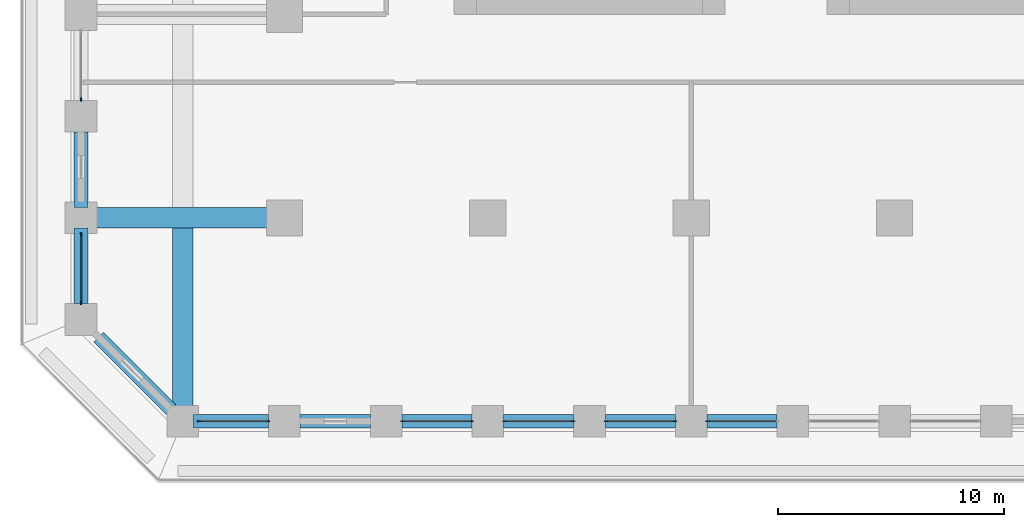
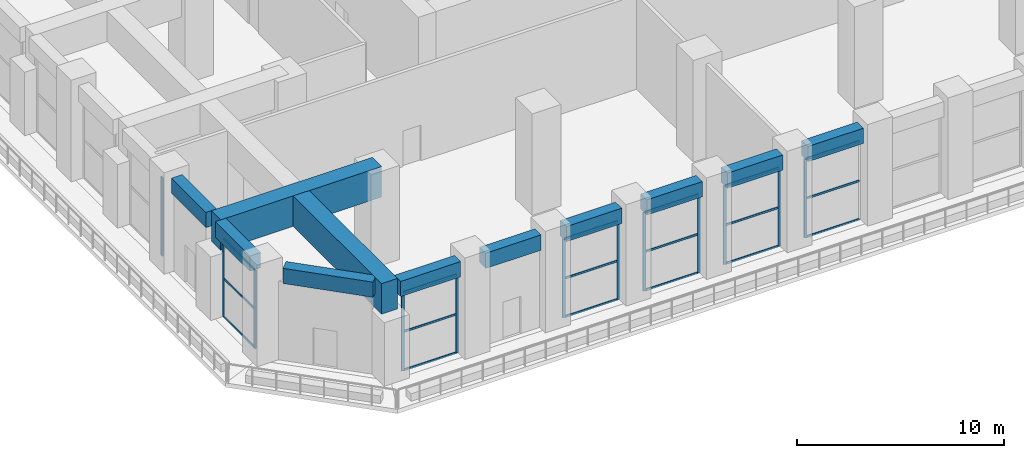
# One storey, part 2 of 21: 30 members, 11 beams, 7 elements without a shape of their own.
"""IFC4 building model written with IfcOpenShell, lengths in metres."""

from ifc_helpers import new_model, si_unit, direction, frame, origin, origin_2d, place, context, subcontext, project, spatial, rectangle, extrude, material, material_profile, profile_set, type_object, element, aggregate, save


model = new_model("IFC4")

# Units and contexts
model_context = context("Model", 3, precision=1e-05, world=origin(), true_north=direction((0.0, 1.0)))
body_context = subcontext(model_context, "Body", "Model", "MODEL_VIEW")
ifc_project = project(units=[si_unit("LENGTHUNIT", "METRE"), si_unit("AREAUNIT", "SQUARE_METRE"), si_unit("VOLUMEUNIT", "CUBIC_METRE"), si_unit("PLANEANGLEUNIT", "RADIAN"), si_unit("MASSUNIT", "GRAM", prefix="KILO")], contexts=[model_context])

# Site, building, storey
site_placement = place(None, origin())
site = spatial("IfcSite", under=ifc_project, at=site_placement, CompositionType="ELEMENT")
building_placement = place(site_placement, origin())
building = spatial("IfcBuilding", under=site, at=building_placement, Name="Corbel Stack Research Tower", CompositionType="ELEMENT")
storey_placement = place(building_placement, frame((0.0, 0.0, 35.89990234375)))
storey = spatial("IfcBuildingStorey", under=building, at=storey_placement, Name="L08", CompositionType="ELEMENT", Elevation=35.89990234375)

# Curtain wall, members
ifc_material_1 = material(Name="Aluminium frame, clear glass", Category="aluminium")
curtain_wall_type = type_object("IfcCurtainWallType", Name="Amenity floor curtain wall CW2", PredefinedType="NOTDEFINED", material=ifc_material_1)
curtain_wall_1_placement = place(storey_placement, origin())
curtain_wall_1 = element("IfcCurtainWall", 1, at=curtain_wall_1_placement, inside=storey, type_object=curtain_wall_type, Name="Curtain wall CW2 L08 S01", PredefinedType="NOTDEFINED")
ifc_material_2 = material(Name="Aluminium mullion", Category="aluminium")
ifc_material_profile_1 = material_profile(ifc_material_2, rectangle(XDim=0.06005859375, YDim=0.159912109375, at=origin_2d()), Name="Mullion 60 x 160")
ifc_profile_set_1 = profile_set([ifc_material_profile_1], Name="Aluminium mullion")
member_type_1 = type_object("IfcMemberType", Name="Curtain wall mullion 60 x 160", PredefinedType="MULLION", material=ifc_profile_set_1)
member_1_placement = place(storey_placement, frame((-21.77001953125, -27.0, 0.0), z_axis=(0.0, 0.0, 1.0), x_axis=(0.0, 1.0, 0.0)))
member_1 = element("IfcMember", 2, at=member_1_placement, type_object=member_type_1, Name="CW2 L08 S01 mullion 1", PredefinedType="MULLION", context=body_context, shape_type="SweptSolid", body=[
    extrude(rectangle(XDim=0.06005859375, YDim=0.159912109375, at=origin_2d()), origin(), (0.0, 0.0, 1.0), 4.650146484375),
])
member_2_placement = place(storey_placement, frame((-18.72998046875, -27.0, 0.0), z_axis=(0.0, 0.0, 1.0), x_axis=(0.0, 1.0, 0.0)))
member_2 = element("IfcMember", 3, at=member_2_placement, type_object=member_type_1, Name="CW2 L08 S01 mullion 2", PredefinedType="MULLION", context=body_context, shape_type="SweptSolid", body=[
    extrude(rectangle(XDim=0.06005859375, YDim=0.159912109375, at=origin_2d()), origin(), (0.0, 0.0, 1.0), 4.650146484375),
])

curtain_wall_2_placement = place(storey_placement, origin())
curtain_wall_2 = element("IfcCurtainWall", 4, at=curtain_wall_2_placement, inside=storey, type_object=curtain_wall_type, Name="Curtain wall CW2 L08 S03", PredefinedType="NOTDEFINED")
member_3_placement = place(storey_placement, frame((-12.77001953125, -27.0, 0.0), z_axis=(0.0, 0.0, 1.0), x_axis=(0.0, 1.0, 0.0)))
member_3 = element("IfcMember", 5, at=member_3_placement, type_object=member_type_1, Name="CW2 L08 S03 mullion 1", PredefinedType="MULLION", context=body_context, shape_type="SweptSolid", body=[
    extrude(rectangle(XDim=0.06005859375, YDim=0.159912109375, at=origin_2d()), origin(), (0.0, 0.0, 1.0), 4.650146484375),
])
member_4_placement = place(storey_placement, frame((-9.72998046875, -27.0, 0.0), z_axis=(0.0, 0.0, 1.0), x_axis=(0.0, 1.0, 0.0)))
member_4 = element("IfcMember", 6, at=member_4_placement, type_object=member_type_1, Name="CW2 L08 S03 mullion 2", PredefinedType="MULLION", context=body_context, shape_type="SweptSolid", body=[
    extrude(rectangle(XDim=0.06005859375, YDim=0.159912109375, at=origin_2d()), origin(), (0.0, 0.0, 1.0), 4.650146484375),
])

curtain_wall_3_placement = place(storey_placement, origin())
curtain_wall_3 = element("IfcCurtainWall", 7, at=curtain_wall_3_placement, inside=storey, type_object=curtain_wall_type, Name="Curtain wall CW2 L08 S04", PredefinedType="NOTDEFINED")
member_5_placement = place(storey_placement, frame((-8.27001953125, -27.0, 0.0), z_axis=(0.0, 0.0, 1.0), x_axis=(0.0, 1.0, 0.0)))
member_5 = element("IfcMember", 8, at=member_5_placement, type_object=member_type_1, Name="CW2 L08 S04 mullion 1", PredefinedType="MULLION", context=body_context, shape_type="SweptSolid", body=[
    extrude(rectangle(XDim=0.06005859375, YDim=0.159912109375, at=origin_2d()), origin(), (0.0, 0.0, 1.0), 4.650146484375),
])
member_6_placement = place(storey_placement, frame((-5.22998046875, -27.0, 0.0), z_axis=(0.0, 0.0, 1.0), x_axis=(0.0, 1.0, 0.0)))
member_6 = element("IfcMember", 9, at=member_6_placement, type_object=member_type_1, Name="CW2 L08 S04 mullion 2", PredefinedType="MULLION", context=body_context, shape_type="SweptSolid", body=[
    extrude(rectangle(XDim=0.06005859375, YDim=0.159912109375, at=origin_2d()), origin(), (0.0, 0.0, 1.0), 4.650146484375),
])

curtain_wall_4_placement = place(storey_placement, origin())
curtain_wall_4 = element("IfcCurtainWall", 10, at=curtain_wall_4_placement, inside=storey, type_object=curtain_wall_type, Name="Curtain wall CW2 L08 S05", PredefinedType="NOTDEFINED")
member_7_placement = place(storey_placement, frame((-3.77001953125, -27.0, 0.0), z_axis=(0.0, 0.0, 1.0), x_axis=(0.0, 1.0, 0.0)))
member_7 = element("IfcMember", 11, at=member_7_placement, type_object=member_type_1, Name="CW2 L08 S05 mullion 1", PredefinedType="MULLION", context=body_context, shape_type="SweptSolid", body=[
    extrude(rectangle(XDim=0.06005859375, YDim=0.159912109375, at=origin_2d()), origin(), (0.0, 0.0, 1.0), 4.650146484375),
])
member_8_placement = place(storey_placement, frame((-0.72998046875, -27.0, 0.0), z_axis=(0.0, 0.0, 1.0), x_axis=(0.0, 1.0, 0.0)))
member_8 = element("IfcMember", 12, at=member_8_placement, type_object=member_type_1, Name="CW2 L08 S05 mullion 2", PredefinedType="MULLION", context=body_context, shape_type="SweptSolid", body=[
    extrude(rectangle(XDim=0.06005859375, YDim=0.159912109375, at=origin_2d()), origin(), (0.0, 0.0, 1.0), 4.650146484375),
])

# Curtain wall, member
curtain_wall_5_placement = place(storey_placement, origin())
curtain_wall_5 = element("IfcCurtainWall", 13, at=curtain_wall_5_placement, inside=storey, type_object=curtain_wall_type, Name="Curtain wall CW2 L08 S06", PredefinedType="NOTDEFINED")
member_9_placement = place(storey_placement, frame((0.72998046875, -27.0, 0.0), z_axis=(0.0, 0.0, 1.0), x_axis=(0.0, 1.0, 0.0)))
member_9 = element("IfcMember", 14, at=member_9_placement, type_object=member_type_1, Name="CW2 L08 S06 mullion 1", PredefinedType="MULLION", context=body_context, shape_type="SweptSolid", body=[
    extrude(rectangle(XDim=0.06005859375, YDim=0.159912109375, at=origin_2d()), origin(), (0.0, 0.0, 1.0), 4.650146484375),
])

curtain_wall_6_placement = place(storey_placement, origin())
curtain_wall_6 = element("IfcCurtainWall", 15, at=curtain_wall_6_placement, inside=storey, type_object=curtain_wall_type, Name="Curtain wall CW2 L08 W08", PredefinedType="NOTDEFINED")
member_10_placement = place(storey_placement, frame((-27.0, -12.77001953125, 0.0), z_axis=(0.0, 0.0, 1.0), x_axis=(1.0, 0.0, 0.0)))
member_10 = element("IfcMember", 16, at=member_10_placement, type_object=member_type_1, Name="CW2 L08 W08 mullion 2", PredefinedType="MULLION", context=body_context, shape_type="SweptSolid", body=[
    extrude(rectangle(XDim=0.06005859375, YDim=0.159912109375, at=origin_2d()), origin(), (0.0, 0.0, 1.0), 4.650146484375),
])
aggregate(curtain_wall_6, [member_10])

# Curtain wall, members
curtain_wall_7_placement = place(storey_placement, origin())
curtain_wall_7 = element("IfcCurtainWall", 17, at=curtain_wall_7_placement, inside=storey, type_object=curtain_wall_type, Name="Curtain wall CW2 L08 W10", PredefinedType="NOTDEFINED")
member_11_placement = place(storey_placement, frame((-27.0, -18.72998046875, 0.0), z_axis=(0.0, 0.0, 1.0), x_axis=(1.0, 0.0, 0.0)))
member_11 = element("IfcMember", 18, at=member_11_placement, type_object=member_type_1, Name="CW2 L08 W10 mullion 1", PredefinedType="MULLION", context=body_context, shape_type="SweptSolid", body=[
    extrude(rectangle(XDim=0.06005859375, YDim=0.159912109375, at=origin_2d()), origin(), (0.0, 0.0, 1.0), 4.650146484375),
])
member_12_placement = place(storey_placement, frame((-27.0, -21.77001953125, 0.0), z_axis=(0.0, 0.0, 1.0), x_axis=(1.0, 0.0, 0.0)))
member_12 = element("IfcMember", 19, at=member_12_placement, type_object=member_type_1, Name="CW2 L08 W10 mullion 2", PredefinedType="MULLION", context=body_context, shape_type="SweptSolid", body=[
    extrude(rectangle(XDim=0.06005859375, YDim=0.159912109375, at=origin_2d()), origin(), (0.0, 0.0, 1.0), 4.650146484375),
])

# Member
ifc_material_3 = material(Name="Aluminium transom", Category="aluminium")
ifc_material_profile_2 = material_profile(ifc_material_3, rectangle(XDim=0.06005859375, YDim=0.1201171875, at=origin_2d()), Name="Transom 60 x 120")
ifc_profile_set_2 = profile_set([ifc_material_profile_2], Name="Aluminium transom")
member_type_2 = type_object("IfcMemberType", Name="Curtain wall transom 60 x 120", PredefinedType="USERDEFINED", material=ifc_profile_set_2)
member_13_placement = place(storey_placement, frame((-21.739990234375, -27.0, 0.030029296875), z_axis=(1.0, 0.0, 0.0), x_axis=(0.0, 1.0, 0.0)))
member_13 = element("IfcMember", 20, at=member_13_placement, type_object=member_type_2, Name="CW2 L08 S01 transom 1.1", ObjectType="TRANSOM", PredefinedType="USERDEFINED", context=body_context, shape_type="SweptSolid", body=[
    extrude(rectangle(XDim=0.06005859375, YDim=0.1201171875, at=origin_2d()), origin(), (0.0, 0.0, 1.0), 2.97998046875),
])

member_14_placement = place(storey_placement, frame((-21.739990234375, -27.0, 2.300048828125), z_axis=(1.0, 0.0, 0.0), x_axis=(0.0, 1.0, 0.0)))
member_14 = element("IfcMember", 21, at=member_14_placement, type_object=member_type_2, Name="CW2 L08 S01 transom 1.2", ObjectType="TRANSOM", PredefinedType="USERDEFINED", context=body_context, shape_type="SweptSolid", body=[
    extrude(rectangle(XDim=0.06005859375, YDim=0.1201171875, at=origin_2d()), origin(), (0.0, 0.0, 1.0), 2.97998046875),
])

member_15_placement = place(storey_placement, frame((-21.739990234375, -27.0, 4.6201171875), z_axis=(1.0, 0.0, 0.0), x_axis=(0.0, 1.0, 0.0)))
member_15 = element("IfcMember", 22, at=member_15_placement, type_object=member_type_2, Name="CW2 L08 S01 transom 1.3", ObjectType="TRANSOM", PredefinedType="USERDEFINED", context=body_context, shape_type="SweptSolid", body=[
    extrude(rectangle(XDim=0.06005859375, YDim=0.1201171875, at=origin_2d()), origin(), (0.0, 0.0, 1.0), 2.97998046875),
])

aggregate(curtain_wall_1, [member_1, member_2, member_13, member_14, member_15])

member_16_placement = place(storey_placement, frame((-12.739990234375, -27.0, 0.030029296875), z_axis=(1.0, 0.0, 0.0), x_axis=(0.0, 1.0, 0.0)))
member_16 = element("IfcMember", 23, at=member_16_placement, type_object=member_type_2, Name="CW2 L08 S03 transom 1.1", ObjectType="TRANSOM", PredefinedType="USERDEFINED", context=body_context, shape_type="SweptSolid", body=[
    extrude(rectangle(XDim=0.06005859375, YDim=0.1201171875, at=origin_2d()), origin(), (0.0, 0.0, 1.0), 2.97998046875),
])

member_17_placement = place(storey_placement, frame((-12.739990234375, -27.0, 2.300048828125), z_axis=(1.0, 0.0, 0.0), x_axis=(0.0, 1.0, 0.0)))
member_17 = element("IfcMember", 24, at=member_17_placement, type_object=member_type_2, Name="CW2 L08 S03 transom 1.2", ObjectType="TRANSOM", PredefinedType="USERDEFINED", context=body_context, shape_type="SweptSolid", body=[
    extrude(rectangle(XDim=0.06005859375, YDim=0.1201171875, at=origin_2d()), origin(), (0.0, 0.0, 1.0), 2.97998046875),
])

member_18_placement = place(storey_placement, frame((-12.739990234375, -27.0, 4.6201171875), z_axis=(1.0, 0.0, 0.0), x_axis=(0.0, 1.0, 0.0)))
member_18 = element("IfcMember", 25, at=member_18_placement, type_object=member_type_2, Name="CW2 L08 S03 transom 1.3", ObjectType="TRANSOM", PredefinedType="USERDEFINED", context=body_context, shape_type="SweptSolid", body=[
    extrude(rectangle(XDim=0.06005859375, YDim=0.1201171875, at=origin_2d()), origin(), (0.0, 0.0, 1.0), 2.97998046875),
])

aggregate(curtain_wall_2, [member_3, member_4, member_16, member_17, member_18])

member_19_placement = place(storey_placement, frame((-8.239990234375, -27.0, 0.030029296875), z_axis=(1.0, 0.0, 0.0), x_axis=(0.0, 1.0, 0.0)))
member_19 = element("IfcMember", 26, at=member_19_placement, type_object=member_type_2, Name="CW2 L08 S04 transom 1.1", ObjectType="TRANSOM", PredefinedType="USERDEFINED", context=body_context, shape_type="SweptSolid", body=[
    extrude(rectangle(XDim=0.06005859375, YDim=0.1201171875, at=origin_2d()), origin(), (0.0, 0.0, 1.0), 2.97998046875),
])

member_20_placement = place(storey_placement, frame((-8.239990234375, -27.0, 2.300048828125), z_axis=(1.0, 0.0, 0.0), x_axis=(0.0, 1.0, 0.0)))
member_20 = element("IfcMember", 27, at=member_20_placement, type_object=member_type_2, Name="CW2 L08 S04 transom 1.2", ObjectType="TRANSOM", PredefinedType="USERDEFINED", context=body_context, shape_type="SweptSolid", body=[
    extrude(rectangle(XDim=0.06005859375, YDim=0.1201171875, at=origin_2d()), origin(), (0.0, 0.0, 1.0), 2.97998046875),
])

member_21_placement = place(storey_placement, frame((-8.239990234375, -27.0, 4.6201171875), z_axis=(1.0, 0.0, 0.0), x_axis=(0.0, 1.0, 0.0)))
member_21 = element("IfcMember", 28, at=member_21_placement, type_object=member_type_2, Name="CW2 L08 S04 transom 1.3", ObjectType="TRANSOM", PredefinedType="USERDEFINED", context=body_context, shape_type="SweptSolid", body=[
    extrude(rectangle(XDim=0.06005859375, YDim=0.1201171875, at=origin_2d()), origin(), (0.0, 0.0, 1.0), 2.97998046875),
])

aggregate(curtain_wall_3, [member_5, member_6, member_19, member_20, member_21])

member_22_placement = place(storey_placement, frame((-3.739990234375, -27.0, 0.030029296875), z_axis=(1.0, 0.0, 0.0), x_axis=(0.0, 1.0, 0.0)))
member_22 = element("IfcMember", 29, at=member_22_placement, type_object=member_type_2, Name="CW2 L08 S05 transom 1.1", ObjectType="TRANSOM", PredefinedType="USERDEFINED", context=body_context, shape_type="SweptSolid", body=[
    extrude(rectangle(XDim=0.06005859375, YDim=0.1201171875, at=origin_2d()), origin(), (0.0, 0.0, 1.0), 2.97998046875),
])

member_23_placement = place(storey_placement, frame((-3.739990234375, -27.0, 2.300048828125), z_axis=(1.0, 0.0, 0.0), x_axis=(0.0, 1.0, 0.0)))
member_23 = element("IfcMember", 30, at=member_23_placement, type_object=member_type_2, Name="CW2 L08 S05 transom 1.2", ObjectType="TRANSOM", PredefinedType="USERDEFINED", context=body_context, shape_type="SweptSolid", body=[
    extrude(rectangle(XDim=0.06005859375, YDim=0.1201171875, at=origin_2d()), origin(), (0.0, 0.0, 1.0), 2.97998046875),
])

member_24_placement = place(storey_placement, frame((-3.739990234375, -27.0, 4.6201171875), z_axis=(1.0, 0.0, 0.0), x_axis=(0.0, 1.0, 0.0)))
member_24 = element("IfcMember", 31, at=member_24_placement, type_object=member_type_2, Name="CW2 L08 S05 transom 1.3", ObjectType="TRANSOM", PredefinedType="USERDEFINED", context=body_context, shape_type="SweptSolid", body=[
    extrude(rectangle(XDim=0.06005859375, YDim=0.1201171875, at=origin_2d()), origin(), (0.0, 0.0, 1.0), 2.97998046875),
])

aggregate(curtain_wall_4, [member_7, member_8, member_22, member_23, member_24])

member_25_placement = place(storey_placement, frame((0.760009765625, -27.0, 0.030029296875), z_axis=(1.0, 0.0, 0.0), x_axis=(0.0, 1.0, 0.0)))
member_25 = element("IfcMember", 32, at=member_25_placement, type_object=member_type_2, Name="CW2 L08 S06 transom 1.1", ObjectType="TRANSOM", PredefinedType="USERDEFINED", context=body_context, shape_type="SweptSolid", body=[
    extrude(rectangle(XDim=0.06005859375, YDim=0.1201171875, at=origin_2d()), origin(), (0.0, 0.0, 1.0), 2.97998046875),
])

member_26_placement = place(storey_placement, frame((0.760009765625, -27.0, 2.300048828125), z_axis=(1.0, 0.0, 0.0), x_axis=(0.0, 1.0, 0.0)))
member_26 = element("IfcMember", 33, at=member_26_placement, type_object=member_type_2, Name="CW2 L08 S06 transom 1.2", ObjectType="TRANSOM", PredefinedType="USERDEFINED", context=body_context, shape_type="SweptSolid", body=[
    extrude(rectangle(XDim=0.06005859375, YDim=0.1201171875, at=origin_2d()), origin(), (0.0, 0.0, 1.0), 2.97998046875),
])

member_27_placement = place(storey_placement, frame((0.760009765625, -27.0, 4.6201171875), z_axis=(1.0, 0.0, 0.0), x_axis=(0.0, 1.0, 0.0)))
member_27 = element("IfcMember", 34, at=member_27_placement, type_object=member_type_2, Name="CW2 L08 S06 transom 1.3", ObjectType="TRANSOM", PredefinedType="USERDEFINED", context=body_context, shape_type="SweptSolid", body=[
    extrude(rectangle(XDim=0.06005859375, YDim=0.1201171875, at=origin_2d()), origin(), (0.0, 0.0, 1.0), 2.97998046875),
])

aggregate(curtain_wall_5, [member_9, member_25, member_26, member_27])

member_28_placement = place(storey_placement, frame((-27.0, -18.760009765625, 0.030029296875), z_axis=(0.0, -1.0, 0.0), x_axis=(1.0, 0.0, 0.0)))
member_28 = element("IfcMember", 35, at=member_28_placement, type_object=member_type_2, Name="CW2 L08 W10 transom 1.1", ObjectType="TRANSOM", PredefinedType="USERDEFINED", context=body_context, shape_type="SweptSolid", body=[
    extrude(rectangle(XDim=0.06005859375, YDim=0.1201171875, at=origin_2d()), origin(), (0.0, 0.0, 1.0), 2.97998046875),
])

member_29_placement = place(storey_placement, frame((-27.0, -18.760009765625, 2.300048828125), z_axis=(0.0, -1.0, 0.0), x_axis=(1.0, 0.0, 0.0)))
member_29 = element("IfcMember", 36, at=member_29_placement, type_object=member_type_2, Name="CW2 L08 W10 transom 1.2", ObjectType="TRANSOM", PredefinedType="USERDEFINED", context=body_context, shape_type="SweptSolid", body=[
    extrude(rectangle(XDim=0.06005859375, YDim=0.1201171875, at=origin_2d()), origin(), (0.0, 0.0, 1.0), 2.97998046875),
])

member_30_placement = place(storey_placement, frame((-27.0, -18.760009765625, 4.6201171875), z_axis=(0.0, -1.0, 0.0), x_axis=(1.0, 0.0, 0.0)))
member_30 = element("IfcMember", 37, at=member_30_placement, type_object=member_type_2, Name="CW2 L08 W10 transom 1.3", ObjectType="TRANSOM", PredefinedType="USERDEFINED", context=body_context, shape_type="SweptSolid", body=[
    extrude(rectangle(XDim=0.06005859375, YDim=0.1201171875, at=origin_2d()), origin(), (0.0, 0.0, 1.0), 2.97998046875),
])

aggregate(curtain_wall_7, [member_11, member_12, member_28, member_29, member_30])

# Beams
ifc_material_4 = material(Name="Concrete C60/75", Category="concrete")
ifc_material_profile_3 = material_profile(ifc_material_4, rectangle(XDim=0.60009765625, YDim=0.89990234375, at=origin_2d()), Name="RC 600 x 900")
ifc_profile_set_3 = profile_set([ifc_material_profile_3], Name="Concrete C60/75")
beam_type_1 = type_object("IfcBeamType", Name="SB-600-900-450", PredefinedType="SPANDREL", material=ifc_profile_set_3)
beam_1_placement = place(storey_placement, frame((-22.050048828125, -27.0, 5.10009765625), z_axis=(1.0, 0.0, 0.0), x_axis=(0.0, 1.0, 0.0)))
element("IfcBeam", 38, at=beam_1_placement, inside=storey, type_object=beam_type_1, Name="Spandrel beam L08-01", PredefinedType="SPANDREL", context=body_context, shape_type="SweptSolid", body=[
    extrude(rectangle(XDim=0.60009765625, YDim=0.89990234375, at=origin_2d()), origin(), (0.0, 0.0, 1.0), 3.35009765625),
])
for number, where, z_axis, x_axis, name in (
    (39, (-17.300048828125, -27.0, 5.10009765625), (1.0, 0.0, 0.0), (0.0, 1.0, 0.0), "Spandrel beam L08-02"),
    (40, (-12.800048828125, -27.0, 5.10009765625), (1.0, 0.0, 0.0), (0.0, 1.0, 0.0), "Spandrel beam L08-03"),
    (41, (-8.300048828125, -27.0, 5.10009765625), (1.0, 0.0, 0.0), (0.0, 1.0, 0.0), "Spandrel beam L08-04"),
    (42, (-3.800048828125, -27.0, 5.10009765625), (1.0, 0.0, 0.0), (0.0, 1.0, 0.0), "Spandrel beam L08-05"),
    (43, (0.699951171875, -27.0, 5.10009765625), (1.0, 0.0, 0.0), (0.0, 1.0, 0.0), "Spandrel beam L08-06"),
):
    element("IfcBeam", number, at=place(storey_placement, frame(where, z_axis=z_axis, x_axis=x_axis)), inside=storey, type_object=beam_type_1, Name=name, PredefinedType="SPANDREL", context=body_context, shape_type="SweptSolid", body=[
        extrude(rectangle(XDim=0.60009765625, YDim=0.89990234375, at=origin_2d()), origin(), (0.0, 0.0, 1.0), 3.10009765625),
    ])
for number, where, z_axis, x_axis, name in (
    (44, (-27.0, -14.199951171875, 5.10009765625), (0.0, -1.0, 0.0), (1.0, 0.0, 0.0), "Spandrel beam L08-42"),
    (45, (-27.0, -18.449951171875, 5.10009765625), (0.0, -1.0, 0.0), (1.0, 0.0, 0.0), "Spandrel beam L08-43"),
):
    element("IfcBeam", number, at=place(storey_placement, frame(where, z_axis=z_axis, x_axis=x_axis)), inside=storey, type_object=beam_type_1, Name=name, PredefinedType="SPANDREL", context=body_context, shape_type="SweptSolid", body=[
        extrude(rectangle(XDim=0.60009765625, YDim=0.89990234375, at=origin_2d()), origin(), (0.0, 0.0, 1.0), 3.35009765625),
    ])
beam_2_placement = place(storey_placement, frame((-26.22216796875, -23.27783203125, 5.10009765625), z_axis=(0.707106781187, -0.707106781187, 0.0), x_axis=(0.707106781187, 0.707106781187, 0.0)))
element("IfcBeam", 46, at=beam_2_placement, inside=storey, type_object=beam_type_1, Name="Spandrel beam L08-44", PredefinedType="SPANDREL", context=body_context, shape_type="SweptSolid", body=[
    extrude(rectangle(XDim=0.60009765625, YDim=0.89990234375, at=origin_2d()), origin(), (0.0, 0.0, 1.0), 4.517578125),
])
ifc_material_5 = material(Name="Concrete C60/75", Category="concrete")
ifc_material_profile_4 = material_profile(ifc_material_5, rectangle(XDim=0.89990234375, YDim=1.800048828125, at=origin_2d()), Name="RC 900 x 1800")
ifc_profile_set_4 = profile_set([ifc_material_profile_4], Name="Concrete C60/75")
beam_type_2 = type_object("IfcBeamType", Name="TG-900-1800", PredefinedType="BEAM", material=ifc_profile_set_4)
beam_3_placement = place(storey_placement, frame((-27.0, -18.0, 4.650146484375), z_axis=(1.0, 0.0, 0.0), x_axis=(0.0, 1.0, 0.0)))
element("IfcBeam", 47, at=beam_3_placement, inside=storey, type_object=beam_type_2, Name="Transfer cross girder L08 Wx-18", PredefinedType="BEAM", context=body_context, shape_type="SweptSolid", body=[
    extrude(rectangle(XDim=0.89990234375, YDim=1.800048828125, at=origin_2d()), origin(), (0.0, 0.0, 1.0), 9.0),
])
beam_4_placement = place(storey_placement, frame((-22.5, -27.0, 4.650146484375), z_axis=(0.0, 1.0, 0.0), x_axis=(-1.0, 0.0, 0.0)))
element("IfcBeam", 48, at=beam_4_placement, inside=storey, type_object=beam_type_2, Name="Transfer girder along the step L08 Wl-27", PredefinedType="BEAM", context=body_context, shape_type="SweptSolid", body=[
    extrude(rectangle(XDim=0.89990234375, YDim=1.800048828125, at=origin_2d()), origin(), (0.0, 0.0, 1.0), 8.550048828125),
])

save(model, "model.ifc")
